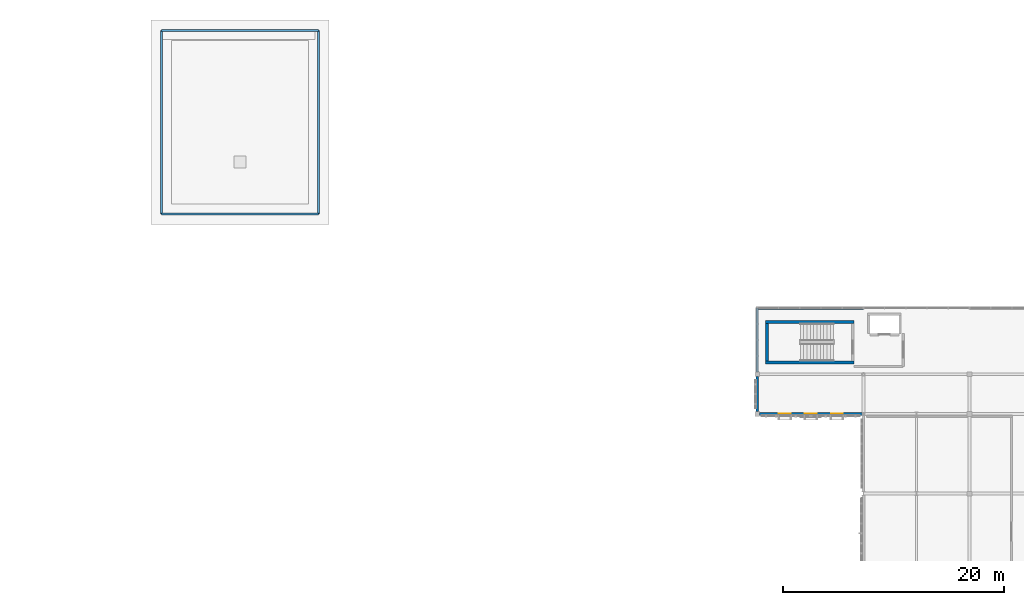
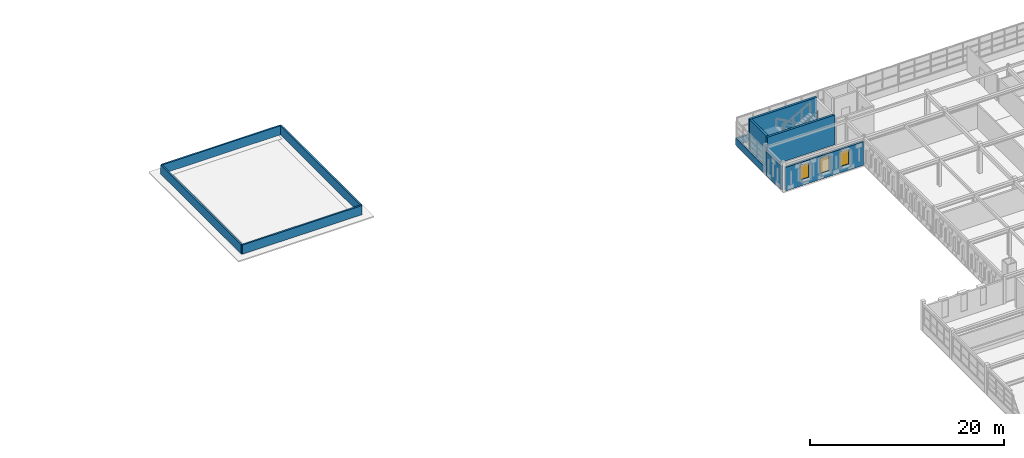
# One storey, part 28 of 46: 11 walls, 3 windows, 3 openings.
"""IFC4 building model written with IfcOpenShell, lengths in metres."""

from ifc_helpers import new_model, si_unit, direction, frame, frame_2d, origin, place, context, subcontext, project, spatial, rectangle, extrude, material, layer, layer_set, type_object, element, fill, save


model = new_model("IFC4")

# Units and contexts
model_context = context("Model", 3, precision=1e-05, world=origin(), true_north=direction((0.0, 1.0)))
body_context = subcontext(model_context, "Body", "Model", "MODEL_VIEW")
ifc_project = project(units=[si_unit("LENGTHUNIT", "METRE"), si_unit("AREAUNIT", "SQUARE_METRE"), si_unit("VOLUMEUNIT", "CUBIC_METRE"), si_unit("PLANEANGLEUNIT", "RADIAN"), si_unit("MASSUNIT", "GRAM", prefix="KILO")], contexts=[model_context])

# Site, building, storey
site_placement = place(None, origin())
site = spatial("IfcSite", under=ifc_project, at=site_placement, CompositionType="ELEMENT")
building_placement = place(site_placement, origin())
building = spatial("IfcBuilding", under=site, at=building_placement, Name="Nzembalo Square Collegiate School", CompositionType="ELEMENT")
storey_placement = place(building_placement, frame((0.0, 0.0, 17.340087890625)))
storey = spatial("IfcBuildingStorey", under=building, at=storey_placement, Name="L04", CompositionType="ELEMENT", Elevation=17.340087890625)

# Walls
ifc_material_1 = material(Name="Concrete C35/45", Category="concrete")
ifc_layer_1 = layer(ifc_material_1, 0.260009765625, Name="Concrete C35/45")
ifc_layer_set_1 = layer_set([ifc_layer_1], Name="Concrete C35/45")
wall_type_1 = type_object("IfcWallType", Name="SW04", PredefinedType="SHEAR", material=ifc_layer_set_1)
wall_1_placement = place(storey_placement, frame((131.669921875, 84.0, 0.0), z_axis=(0.0, 0.0, 1.0), x_axis=(0.0, 1.0, 0.0)))
element("IfcWall", 1, at=wall_1_placement, inside=storey, type_object=wall_type_1, Name="Core C4 stair shear wall W L04", PredefinedType="SHEAR", context=body_context, shape_type="SweptSolid", body=[
    extrude(rectangle(XDim=3.39990234375, YDim=0.260009765625, at=frame_2d((1.699951171875, 0.0))), origin(), (0.0, 0.0, 1.0), 3.739990234375),
])
for number, where, z_axis, x_axis, name in (
    (2, (131.5400390625, 83.8701171875, 0.0), (0.0, 0.0, 1.0), (1.0, 0.0, 0.0), "Core C4 stair shear wall S L04"),
    (3, (131.5400390625, 87.530029296875, 0.0), (0.0, 0.0, 1.0), (1.0, 0.0, 0.0), "Core C4 stair shear wall N L04"),
):
    element("IfcWall", number, at=place(storey_placement, frame(where, z_axis=z_axis, x_axis=x_axis)), inside=storey, type_object=wall_type_1, Name=name, PredefinedType="SHEAR", context=body_context, shape_type="SweptSolid", body=[
        extrude(rectangle(XDim=8.02001953125, YDim=0.260009765625, at=frame_2d((4.010009765625, 0.0))), origin(), (0.0, 0.0, 1.0), 3.739990234375),
    ])

# Wall, openings, windows
ifc_material_2 = material(Name="CLT CL24", Category="wood")
ifc_layer_2 = layer(ifc_material_2, 0.2451171875, Name="CLT CL24")
ifc_layer_set_2 = layer_set([ifc_layer_2], Name="CLT CL24")
wall_type_2 = type_object("IfcWallType", Name="W07", PredefinedType="SOLIDWALL", material=ifc_layer_set_2)
wall_2_placement = place(storey_placement, frame((131.011962890625, 79.199951171875, 0.0), z_axis=(0.0, 0.0, 1.0), x_axis=(1.0, 0.0, 0.0)))
wall_2 = element("IfcWall", 4, at=wall_2_placement, inside=storey, type_object=wall_type_2, Name="Exterior wall W07 L04", PredefinedType="SOLIDWALL", context=body_context, shape_type="SweptSolid", body=[
    extrude(rectangle(XDim=9.24951171875, YDim=0.2451171875, at=frame_2d((4.624755859375, 0.0))), origin(), (0.0, 0.0, 1.0), 2.948974609375),
])
opening_1_placement = place(wall_2_placement, frame((1.744873046875, 0.0, 0.75)))
opening_1 = element("IfcOpeningElement", 5, at=opening_1_placement, cuts=wall_2, Name="Opening WN-L04-826", PredefinedType="OPENING", context=body_context, shape_type="SweptSolid", body=[
    extrude(rectangle(XDim=1.050048828125, YDim=1.89990234375, at=frame_2d((0.52490234375, 0.949951171875))), frame((0.0, 0.132568359375, 0.0), z_axis=(0.0, -1.0, 0.0), x_axis=(1.0, 0.0, 0.0)), (0.0, 0.0, 1.0), 0.26513671875),
])
opening_2_placement = place(wall_2_placement, frame((4.099609375, 0.0, 0.75)))
opening_2 = element("IfcOpeningElement", 6, at=opening_2_placement, cuts=wall_2, Name="Opening WN-L04-827", PredefinedType="OPENING", context=body_context, shape_type="SweptSolid", body=[
    extrude(rectangle(XDim=1.050048828125, YDim=1.89990234375, at=frame_2d((0.52490234375, 0.949951171875))), frame((0.0, 0.132568359375, 0.0), z_axis=(0.0, -1.0, 0.0), x_axis=(1.0, 0.0, 0.0)), (0.0, 0.0, 1.0), 0.26513671875),
])
opening_3_placement = place(wall_2_placement, frame((6.45458984375, 0.0, 0.75)))
opening_3 = element("IfcOpeningElement", 7, at=opening_3_placement, cuts=wall_2, Name="Opening WN-L04-828", PredefinedType="OPENING", context=body_context, shape_type="SweptSolid", body=[
    extrude(rectangle(XDim=1.050048828125, YDim=1.89990234375, at=frame_2d((0.52490234375, 0.949951171875))), frame((0.0, 0.132568359375, 0.0), z_axis=(0.0, -1.0, 0.0), x_axis=(1.0, 0.0, 0.0)), (0.0, 0.0, 1.0), 0.26513671875),
])
ifc_material_3 = material(Name="Powder-coated aluminium and low-E double glazing", Category="aluminium")
window_type = type_object("IfcWindowType", Name="WN13", PartitioningType="SINGLE_PANEL", PredefinedType="WINDOW", material=ifc_material_3)
window_1_placement = place(opening_1_placement, origin())
window_1 = element("IfcWindow", 8, at=window_1_placement, inside=storey, type_object=window_type, Name="Lancet window WN-L04-826", OverallHeight=1.89990234375, OverallWidth=1.050048828125, PartitioningType="SINGLE_PANEL", PredefinedType="WINDOW", context=body_context, shape_type="SweptSolid", body=[
    extrude(rectangle(XDim=1.050048828125, YDim=1.89990234375, at=frame_2d((0.52490234375, 0.949951171875))), frame((0.0, 0.030029296875, 0.0), z_axis=(0.0, -1.0, 0.0), x_axis=(1.0, 0.0, 0.0)), (0.0, 0.0, 1.0), 0.06005859375),
])
fill(opening_1, window_1)
window_2_placement = place(opening_2_placement, origin())
window_2 = element("IfcWindow", 9, at=window_2_placement, inside=storey, type_object=window_type, Name="Lancet window WN-L04-827", OverallHeight=1.89990234375, OverallWidth=1.050048828125, PartitioningType="SINGLE_PANEL", PredefinedType="WINDOW", context=body_context, shape_type="SweptSolid", body=[
    extrude(rectangle(XDim=1.050048828125, YDim=1.89990234375, at=frame_2d((0.52490234375, 0.949951171875))), frame((0.0, 0.030029296875, 0.0), z_axis=(0.0, -1.0, 0.0), x_axis=(1.0, 0.0, 0.0)), (0.0, 0.0, 1.0), 0.06005859375),
])
fill(opening_2, window_2)
window_3_placement = place(opening_3_placement, origin())
window_3 = element("IfcWindow", 10, at=window_3_placement, inside=storey, type_object=window_type, Name="Lancet window WN-L04-828", OverallHeight=1.89990234375, OverallWidth=1.050048828125, PartitioningType="SINGLE_PANEL", PredefinedType="WINDOW", context=body_context, shape_type="SweptSolid", body=[
    extrude(rectangle(XDim=1.050048828125, YDim=1.89990234375, at=frame_2d((0.52490234375, 0.949951171875))), frame((0.0, 0.030029296875, 0.0), z_axis=(0.0, -1.0, 0.0), x_axis=(1.0, 0.0, 0.0)), (0.0, 0.0, 1.0), 0.06005859375),
])
fill(opening_3, window_3)

# Walls
wall_3_placement = place(storey_placement, frame((130.800048828125, 88.800048828125, 0.0), z_axis=(0.0, 0.0, 1.0), x_axis=(1.0, 0.0, 0.0)))
element("IfcWall", 11, at=wall_3_placement, inside=storey, type_object=wall_type_2, Name="Spandrel wall W07 L04", PredefinedType="SOLIDWALL", context=body_context, shape_type="SweptSolid", body=[
    extrude(rectangle(XDim=9.599853515625, YDim=0.2451171875, at=frame_2d((4.7998046875, 0.0))), origin(), (0.0, 0.0, 1.0), 0.849853515625),
])
ifc_material_4 = material(Name="CLT CL24", Category="wood")
ifc_layer_3 = layer(ifc_material_4, 0.215087890625, Name="CLT CL24")
ifc_layer_set_3 = layer_set([ifc_layer_3], Name="CLT CL24")
wall_type_3 = type_object("IfcWallType", Name="W08", PredefinedType="SOLIDWALL", material=ifc_layer_set_3)
wall_4_placement = place(storey_placement, frame((130.800048828125, 79.412109375, 0.0), z_axis=(0.0, 0.0, 1.0), x_axis=(0.0, 1.0, 0.0)))
element("IfcWall", 12, at=wall_4_placement, inside=storey, type_object=wall_type_3, Name="Exterior wall W08 L04", PredefinedType="SOLIDWALL", context=body_context, shape_type="SweptSolid", body=[
    extrude(rectangle(XDim=3.17578125, YDim=0.215087890625, at=frame_2d((1.587890625, 0.0))), origin(), (0.0, 0.0, 1.0), 2.97900390625),
])
wall_5_placement = place(storey_placement, frame((130.800048828125, 83.011962890625, 0.0), z_axis=(0.0, 0.0, 1.0), x_axis=(0.0, 1.0, 0.0)))
element("IfcWall", 13, at=wall_5_placement, inside=storey, type_object=wall_type_3, Name="Spandrel wall W08 L04", PredefinedType="SOLIDWALL", context=body_context, shape_type="SweptSolid", body=[
    extrude(rectangle(XDim=5.7880859375, YDim=0.215087890625, at=frame_2d((2.89404296875, 0.0))), origin(), (0.0, 0.0, 1.0), 0.849853515625),
])
ifc_material_5 = material(Name="Concrete C30/37", Category="concrete")
ifc_layer_4 = layer(ifc_material_5, 0.18994140625, Name="Concrete C30/37")
ifc_layer_set_4 = layer_set([ifc_layer_4], Name="Concrete C30/37")
wall_type_4 = type_object("IfcWallType", Name="WP02", PredefinedType="PARAPET", material=ifc_layer_set_4)
wall_6_placement = place(storey_placement, frame((76.89990234375, 97.300048828125, 0.0), z_axis=(0.0, 0.0, 1.0), x_axis=(1.0, 0.0, 0.0)))
element("IfcWall", 14, at=wall_6_placement, inside=storey, type_object=wall_type_4, Name="Roof parapet WP02-18", PredefinedType="PARAPET", context=body_context, shape_type="SweptSolid", body=[
    extrude(rectangle(XDim=14.2001953125, YDim=0.18994140625, at=frame_2d((7.10009765625, 0.0))), origin(), (0.0, 0.0, 1.0), 1.14990234375),
])
wall_7_placement = place(storey_placement, frame((91.10009765625, 97.300048828125, 0.0), z_axis=(0.0, 0.0, 1.0), x_axis=(0.0, 1.0, 0.0)))
element("IfcWall", 15, at=wall_7_placement, inside=storey, type_object=wall_type_4, Name="Roof parapet WP02-19", PredefinedType="PARAPET", context=body_context, shape_type="SweptSolid", body=[
    extrude(rectangle(XDim=16.599853515625, YDim=0.18994140625, at=frame_2d((8.2998046875, 0.0))), origin(), (0.0, 0.0, 1.0), 1.14990234375),
])
wall_8_placement = place(storey_placement, frame((91.10009765625, 113.89990234375, 0.0), z_axis=(0.0, 0.0, 1.0), x_axis=(-1.0, 0.0, 0.0)))
element("IfcWall", 16, at=wall_8_placement, inside=storey, type_object=wall_type_4, Name="Roof parapet WP02-20", PredefinedType="PARAPET", context=body_context, shape_type="SweptSolid", body=[
    extrude(rectangle(XDim=14.2001953125, YDim=0.18994140625, at=frame_2d((7.10009765625, 0.0))), origin(), (0.0, 0.0, 1.0), 1.14990234375),
])
wall_9_placement = place(storey_placement, frame((76.89990234375, 113.89990234375, 0.0), z_axis=(0.0, 0.0, 1.0), x_axis=(0.0, -1.0, 0.0)))
element("IfcWall", 17, at=wall_9_placement, inside=storey, type_object=wall_type_4, Name="Roof parapet WP02-21", PredefinedType="PARAPET", context=body_context, shape_type="SweptSolid", body=[
    extrude(rectangle(XDim=16.599853515625, YDim=0.18994140625, at=frame_2d((8.2998046875, 0.0))), origin(), (0.0, 0.0, 1.0), 1.14990234375),
])

save(model, "model.ifc")
